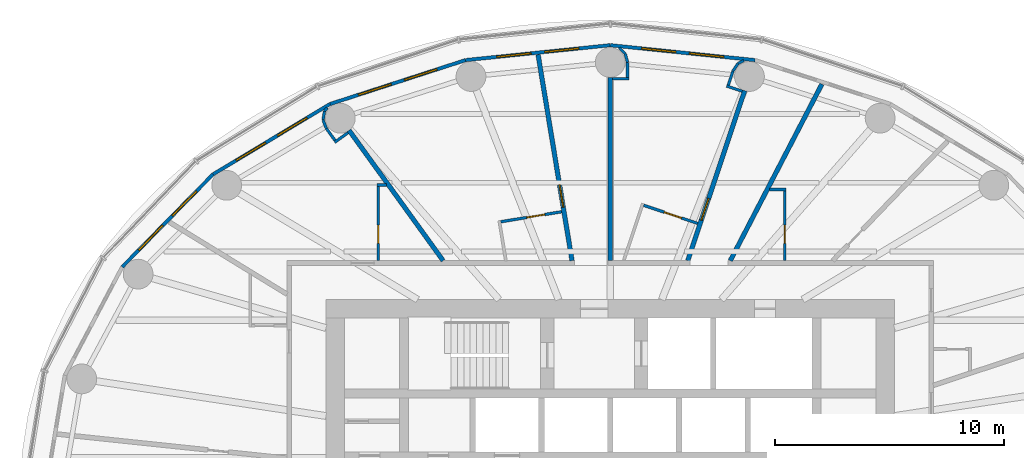
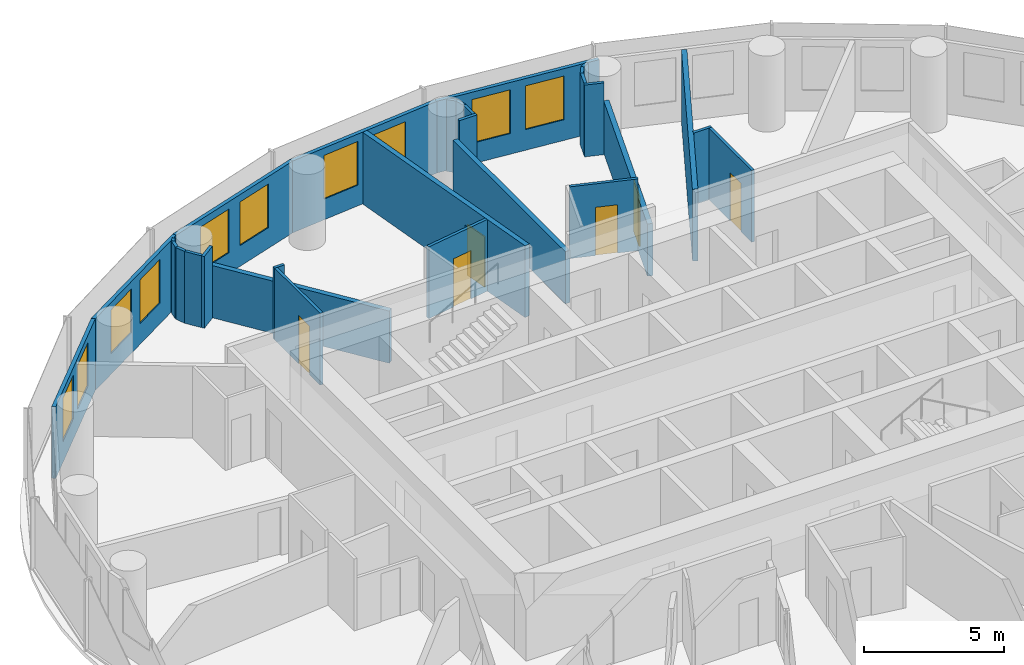
# One storey, part 11 of 13: 29 walls, 10 windows, 6 doors, 16 openings.
"""IFC4 building model written with IfcOpenShell, lengths in metres."""

from ifc_helpers import new_model, si_unit, direction, frame, frame_2d, origin, place, context, subcontext, project, spatial, rectangle, extrude, material, layer, layer_set, type_object, element, fill, save


model = new_model("IFC4")

# Units and contexts
model_context = context("Model", 3, precision=1e-05, world=origin(), true_north=direction((0.0, 1.0)))
body_context = subcontext(model_context, "Body", "Model", "MODEL_VIEW")
ifc_project = project(units=[si_unit("LENGTHUNIT", "METRE"), si_unit("AREAUNIT", "SQUARE_METRE"), si_unit("VOLUMEUNIT", "CUBIC_METRE"), si_unit("PLANEANGLEUNIT", "RADIAN"), si_unit("MASSUNIT", "GRAM", prefix="KILO")], contexts=[model_context])

# Site, building, storey
site_placement = place(None, origin())
site = spatial("IfcSite", under=ifc_project, at=site_placement, CompositionType="ELEMENT")
building_placement = place(site_placement, origin())
building = spatial("IfcBuilding", under=site, at=building_placement, Name="Hankou Lantern Tower", CompositionType="ELEMENT")
storey_placement = place(building_placement, frame((0.0, 0.0, 132.0)))
storey = spatial("IfcBuildingStorey", under=building, at=storey_placement, Name="L34", CompositionType="ELEMENT", Elevation=132.0)

# Wall, openings, windows
ifc_material_1 = material(Name="Aluminium spandrel panel on steel studs", Category="steel")
ifc_layer_1 = layer(ifc_material_1, 0.14990234375)
ifc_layer_set_1 = layer_set([ifc_layer_1], Name="Aluminium spandrel panel on steel studs")
wall_type_1 = type_object("IfcWallType", Name="EW1 INNER SKIN WALL 150", PredefinedType="ELEMENTEDWALL", material=ifc_layer_set_1)
wall_1_placement = place(storey_placement, frame((6.3134765625, 18.849609375, 0.0), z_axis=(0.0, 0.0, 1.0), x_axis=(-0.994735690163, 0.102473931887, 0.0)))
wall_1 = element("IfcWall", 1, at=wall_1_placement, inside=storey, type_object=wall_type_1, Name="Inner skin R06-R07 L34", PredefinedType="ELEMENTEDWALL", context=body_context, shape_type="SweptSolid", body=[
    extrude(rectangle(XDim=6.346923828125, YDim=0.14990234375, at=frame_2d((3.17333984375, 0.0))), origin(), (0.0, 0.0, 1.0), 3.1201171875),
])
opening_1_placement = place(wall_1_placement, frame((1.373291015625, 0.0, 0.89990234375)))
opening_1 = element("IfcOpeningElement", 2, at=opening_1_placement, cuts=wall_1, Name="Opening W2", PredefinedType="OPENING", context=body_context, shape_type="SweptSolid", body=[
    extrude(rectangle(XDim=1.5, YDim=1.89990234375, at=frame_2d((0.75, 0.949951171875))), frame((0.0, 0.0849609375, 0.0), z_axis=(0.0, -1.0, 0.0), x_axis=(1.0, 0.0, 0.0)), (0.0, 0.0, 1.0), 0.169921875),
])
opening_2_placement = place(wall_1_placement, frame((3.473388671875, 0.0, 0.89990234375)))
opening_2 = element("IfcOpeningElement", 3, at=opening_2_placement, cuts=wall_1, Name="Opening W2", PredefinedType="OPENING", context=body_context, shape_type="SweptSolid", body=[
    extrude(rectangle(XDim=1.5, YDim=1.89990234375, at=frame_2d((0.75, 0.949951171875))), frame((0.0, 0.0849609375, 0.0), z_axis=(0.0, -1.0, 0.0), x_axis=(1.0, 0.0, 0.0)), (0.0, 0.0, 1.0), 0.169921875),
])
ifc_material_2 = material(Name="Aluminium framed double glazed window", Category="aluminium")
window_type = type_object("IfcWindowType", Name="W2 GUEST ROOM WINDOW 1500X1900", PartitioningType="DOUBLE_PANEL_VERTICAL", PredefinedType="WINDOW", material=ifc_material_2)
window_1_placement = place(opening_1_placement, origin())
window_1 = element("IfcWindow", 4, at=window_1_placement, inside=storey, type_object=window_type, Name="Window R06.1 L34", OverallHeight=1.89990234375, OverallWidth=1.5, PartitioningType="SINGLE_PANEL", PredefinedType="WINDOW", context=body_context, shape_type="SweptSolid", body=[
    extrude(rectangle(XDim=1.5, YDim=1.89990234375, at=frame_2d((0.75, 0.949951171875))), frame((0.0, 0.030029296875, 0.0), z_axis=(0.0, -1.0, 0.0), x_axis=(1.0, 0.0, 0.0)), (0.0, 0.0, 1.0), 0.06005859375),
])
fill(opening_1, window_1)
window_2_placement = place(opening_2_placement, origin())
window_2 = element("IfcWindow", 5, at=window_2_placement, inside=storey, type_object=window_type, Name="Window R06.2 L34", OverallHeight=1.89990234375, OverallWidth=1.5, PartitioningType="SINGLE_PANEL", PredefinedType="WINDOW", context=body_context, shape_type="SweptSolid", body=[
    extrude(rectangle(XDim=1.5, YDim=1.89990234375, at=frame_2d((0.75, 0.949951171875))), frame((0.0, 0.030029296875, 0.0), z_axis=(0.0, -1.0, 0.0), x_axis=(1.0, 0.0, 0.0)), (0.0, 0.0, 1.0), 0.06005859375),
])
fill(opening_2, window_2)

wall_2_placement = place(storey_placement, frame((0.0, 19.5, 0.0), z_axis=(0.0, 0.0, 1.0), x_axis=(-0.994735690163, -0.102473931887, 0.0)))
wall_2 = element("IfcWall", 6, at=wall_2_placement, inside=storey, type_object=wall_type_1, Name="Inner skin R07-R08 L34", PredefinedType="ELEMENTEDWALL", context=body_context, shape_type="SweptSolid", body=[
    extrude(rectangle(XDim=6.346923828125, YDim=0.14990234375, at=frame_2d((3.17333984375, 0.0))), origin(), (0.0, 0.0, 1.0), 3.1201171875),
])
opening_3_placement = place(wall_2_placement, frame((1.373291015625, 0.0, 0.89990234375)))
opening_3 = element("IfcOpeningElement", 7, at=opening_3_placement, cuts=wall_2, Name="Opening W2", PredefinedType="OPENING", context=body_context, shape_type="SweptSolid", body=[
    extrude(rectangle(XDim=1.5, YDim=1.89990234375, at=frame_2d((0.75, 0.949951171875))), frame((0.0, 0.0849609375, 0.0), z_axis=(0.0, -1.0, 0.0), x_axis=(1.0, 0.0, 0.0)), (0.0, 0.0, 1.0), 0.169921875),
])
opening_4_placement = place(wall_2_placement, frame((3.473388671875, 0.0, 0.89990234375)))
opening_4 = element("IfcOpeningElement", 8, at=opening_4_placement, cuts=wall_2, Name="Opening W2", PredefinedType="OPENING", context=body_context, shape_type="SweptSolid", body=[
    extrude(rectangle(XDim=1.5, YDim=1.89990234375, at=frame_2d((0.75, 0.949951171875))), frame((0.0, 0.0849609375, 0.0), z_axis=(0.0, -1.0, 0.0), x_axis=(1.0, 0.0, 0.0)), (0.0, 0.0, 1.0), 0.169921875),
])
window_3_placement = place(opening_3_placement, origin())
window_3 = element("IfcWindow", 9, at=window_3_placement, inside=storey, type_object=window_type, Name="Window R07.1 L34", OverallHeight=1.89990234375, OverallWidth=1.5, PartitioningType="SINGLE_PANEL", PredefinedType="WINDOW", context=body_context, shape_type="SweptSolid", body=[
    extrude(rectangle(XDim=1.5, YDim=1.89990234375, at=frame_2d((0.75, 0.949951171875))), frame((0.0, 0.030029296875, 0.0), z_axis=(0.0, -1.0, 0.0), x_axis=(1.0, 0.0, 0.0)), (0.0, 0.0, 1.0), 0.06005859375),
])
fill(opening_3, window_3)
window_4_placement = place(opening_4_placement, origin())
window_4 = element("IfcWindow", 10, at=window_4_placement, inside=storey, type_object=window_type, Name="Window R07.2 L34", OverallHeight=1.89990234375, OverallWidth=1.5, PartitioningType="SINGLE_PANEL", PredefinedType="WINDOW", context=body_context, shape_type="SweptSolid", body=[
    extrude(rectangle(XDim=1.5, YDim=1.89990234375, at=frame_2d((0.75, 0.949951171875))), frame((0.0, 0.030029296875, 0.0), z_axis=(0.0, -1.0, 0.0), x_axis=(1.0, 0.0, 0.0)), (0.0, 0.0, 1.0), 0.06005859375),
])
fill(opening_4, window_4)

wall_3_placement = place(storey_placement, frame((-6.3134765625, 18.849609375, 0.0), z_axis=(0.0, 0.0, 1.0), x_axis=(-0.951272691506, -0.308350881944, 0.0)))
wall_3 = element("IfcWall", 11, at=wall_3_placement, inside=storey, type_object=wall_type_1, Name="Inner skin R08-R09 L34", PredefinedType="ELEMENTEDWALL", context=body_context, shape_type="SweptSolid", body=[
    extrude(rectangle(XDim=6.210693359375, YDim=0.14990234375, at=frame_2d((3.10546875, 0.0))), origin(), (0.0, 0.0, 1.0), 3.1201171875),
])
opening_5_placement = place(wall_3_placement, frame((1.305419921875, 0.0, 0.89990234375)))
opening_5 = element("IfcOpeningElement", 12, at=opening_5_placement, cuts=wall_3, Name="Opening W2", PredefinedType="OPENING", context=body_context, shape_type="SweptSolid", body=[
    extrude(rectangle(XDim=1.5, YDim=1.89990234375, at=frame_2d((0.75, 0.949951171875))), frame((0.0, 0.0849609375, 0.0), z_axis=(0.0, -1.0, 0.0), x_axis=(1.0, 0.0, 0.0)), (0.0, 0.0, 1.0), 0.169921875),
])
opening_6_placement = place(wall_3_placement, frame((3.4052734375, 0.0, 0.89990234375)))
opening_6 = element("IfcOpeningElement", 13, at=opening_6_placement, cuts=wall_3, Name="Opening W2", PredefinedType="OPENING", context=body_context, shape_type="SweptSolid", body=[
    extrude(rectangle(XDim=1.5, YDim=1.89990234375, at=frame_2d((0.75, 0.949951171875))), frame((0.0, 0.0849609375, 0.0), z_axis=(0.0, -1.0, 0.0), x_axis=(1.0, 0.0, 0.0)), (0.0, 0.0, 1.0), 0.169921875),
])
window_5_placement = place(opening_5_placement, origin())
window_5 = element("IfcWindow", 14, at=window_5_placement, inside=storey, type_object=window_type, Name="Window R08.1 L34", OverallHeight=1.89990234375, OverallWidth=1.5, PartitioningType="SINGLE_PANEL", PredefinedType="WINDOW", context=body_context, shape_type="SweptSolid", body=[
    extrude(rectangle(XDim=1.5, YDim=1.89990234375, at=frame_2d((0.75, 0.949951171875))), frame((0.0, 0.030029296875, 0.0), z_axis=(0.0, -1.0, 0.0), x_axis=(1.0, 0.0, 0.0)), (0.0, 0.0, 1.0), 0.06005859375),
])
fill(opening_5, window_5)
window_6_placement = place(opening_6_placement, origin())
window_6 = element("IfcWindow", 15, at=window_6_placement, inside=storey, type_object=window_type, Name="Window R08.2 L34", OverallHeight=1.89990234375, OverallWidth=1.5, PartitioningType="SINGLE_PANEL", PredefinedType="WINDOW", context=body_context, shape_type="SweptSolid", body=[
    extrude(rectangle(XDim=1.5, YDim=1.89990234375, at=frame_2d((0.75, 0.949951171875))), frame((0.0, 0.030029296875, 0.0), z_axis=(0.0, -1.0, 0.0), x_axis=(1.0, 0.0, 0.0)), (0.0, 0.0, 1.0), 0.06005859375),
])
fill(opening_6, window_6)

wall_4_placement = place(storey_placement, frame((-12.221435546875, 16.9345703125, 0.0), z_axis=(0.0, 0.0, 1.0), x_axis=(-0.857308573723, -0.514802884044, 0.0)))
wall_4 = element("IfcWall", 16, at=wall_4_placement, inside=storey, type_object=wall_type_1, Name="Inner skin R09-R10 L34", PredefinedType="ELEMENTEDWALL", context=body_context, shape_type="SweptSolid", body=[
    extrude(rectangle(XDim=5.961181640625, YDim=0.14990234375, at=frame_2d((2.98046875, 0.0))), origin(), (0.0, 0.0, 1.0), 3.1201171875),
])
opening_7_placement = place(wall_4_placement, frame((1.1806640625, 0.0, 0.89990234375)))
opening_7 = element("IfcOpeningElement", 17, at=opening_7_placement, cuts=wall_4, Name="Opening W2", PredefinedType="OPENING", context=body_context, shape_type="SweptSolid", body=[
    extrude(rectangle(XDim=1.5, YDim=1.89990234375, at=frame_2d((0.75, 0.949951171875))), frame((0.0, 0.0849609375, 0.0), z_axis=(0.0, -1.0, 0.0), x_axis=(1.0, 0.0, 0.0)), (0.0, 0.0, 1.0), 0.169921875),
])
opening_8_placement = place(wall_4_placement, frame((3.280517578125, 0.0, 0.89990234375)))
opening_8 = element("IfcOpeningElement", 18, at=opening_8_placement, cuts=wall_4, Name="Opening W2", PredefinedType="OPENING", context=body_context, shape_type="SweptSolid", body=[
    extrude(rectangle(XDim=1.5, YDim=1.89990234375, at=frame_2d((0.75, 0.949951171875))), frame((0.0, 0.0849609375, 0.0), z_axis=(0.0, -1.0, 0.0), x_axis=(1.0, 0.0, 0.0)), (0.0, 0.0, 1.0), 0.169921875),
])
window_7_placement = place(opening_7_placement, origin())
window_7 = element("IfcWindow", 19, at=window_7_placement, inside=storey, type_object=window_type, Name="Window R09.1 L34", OverallHeight=1.89990234375, OverallWidth=1.5, PartitioningType="SINGLE_PANEL", PredefinedType="WINDOW", context=body_context, shape_type="SweptSolid", body=[
    extrude(rectangle(XDim=1.5, YDim=1.89990234375, at=frame_2d((0.75, 0.949951171875))), frame((0.0, 0.030029296875, 0.0), z_axis=(0.0, -1.0, 0.0), x_axis=(1.0, 0.0, 0.0)), (0.0, 0.0, 1.0), 0.06005859375),
])
fill(opening_7, window_7)
window_8_placement = place(opening_8_placement, origin())
window_8 = element("IfcWindow", 20, at=window_8_placement, inside=storey, type_object=window_type, Name="Window R09.2 L34", OverallHeight=1.89990234375, OverallWidth=1.5, PartitioningType="SINGLE_PANEL", PredefinedType="WINDOW", context=body_context, shape_type="SweptSolid", body=[
    extrude(rectangle(XDim=1.5, YDim=1.89990234375, at=frame_2d((0.75, 0.949951171875))), frame((0.0, 0.030029296875, 0.0), z_axis=(0.0, -1.0, 0.0), x_axis=(1.0, 0.0, 0.0)), (0.0, 0.0, 1.0), 0.06005859375),
])
fill(opening_8, window_8)

wall_5_placement = place(storey_placement, frame((-17.33203125, 13.86572265625, 0.0), z_axis=(0.0, 0.0, 1.0), x_axis=(-0.700136650834, -0.714008872605, 0.0)))
wall_5 = element("IfcWall", 21, at=wall_5_placement, inside=storey, type_object=wall_type_1, Name="Inner skin R10-R11 L34", PredefinedType="ELEMENTEDWALL", context=body_context, shape_type="SweptSolid", body=[
    extrude(rectangle(XDim=5.6494140625, YDim=0.14990234375, at=frame_2d((2.82470703125, 0.0))), origin(), (0.0, 0.0, 1.0), 3.1201171875),
])
opening_9_placement = place(wall_5_placement, frame((1.024658203125, 0.0, 0.89990234375)))
opening_9 = element("IfcOpeningElement", 22, at=opening_9_placement, cuts=wall_5, Name="Opening W2", PredefinedType="OPENING", context=body_context, shape_type="SweptSolid", body=[
    extrude(rectangle(XDim=1.5, YDim=1.89990234375, at=frame_2d((0.75, 0.949951171875))), frame((0.0, 0.0849609375, 0.0), z_axis=(0.0, -1.0, 0.0), x_axis=(1.0, 0.0, 0.0)), (0.0, 0.0, 1.0), 0.169921875),
])
opening_10_placement = place(wall_5_placement, frame((3.12451171875, 0.0, 0.89990234375)))
opening_10 = element("IfcOpeningElement", 23, at=opening_10_placement, cuts=wall_5, Name="Opening W2", PredefinedType="OPENING", context=body_context, shape_type="SweptSolid", body=[
    extrude(rectangle(XDim=1.5, YDim=1.89990234375, at=frame_2d((0.75, 0.949951171875))), frame((0.0, 0.0849609375, 0.0), z_axis=(0.0, -1.0, 0.0), x_axis=(1.0, 0.0, 0.0)), (0.0, 0.0, 1.0), 0.169921875),
])
window_9_placement = place(opening_9_placement, origin())
window_9 = element("IfcWindow", 24, at=window_9_placement, inside=storey, type_object=window_type, Name="Window R10.1 L34", OverallHeight=1.89990234375, OverallWidth=1.5, PartitioningType="SINGLE_PANEL", PredefinedType="WINDOW", context=body_context, shape_type="SweptSolid", body=[
    extrude(rectangle(XDim=1.5, YDim=1.89990234375, at=frame_2d((0.75, 0.949951171875))), frame((0.0, 0.030029296875, 0.0), z_axis=(0.0, -1.0, 0.0), x_axis=(1.0, 0.0, 0.0)), (0.0, 0.0, 1.0), 0.06005859375),
])
fill(opening_9, window_9)
window_10_placement = place(opening_10_placement, origin())
window_10 = element("IfcWindow", 25, at=window_10_placement, inside=storey, type_object=window_type, Name="Window R10.2 L34", OverallHeight=1.89990234375, OverallWidth=1.5, PartitioningType="SINGLE_PANEL", PredefinedType="WINDOW", context=body_context, shape_type="SweptSolid", body=[
    extrude(rectangle(XDim=1.5, YDim=1.89990234375, at=frame_2d((0.75, 0.949951171875))), frame((0.0, 0.030029296875, 0.0), z_axis=(0.0, -1.0, 0.0), x_axis=(1.0, 0.0, 0.0)), (0.0, 0.0, 1.0), 0.06005859375),
])
fill(opening_10, window_10)

# Walls
ifc_material_3 = material(Name="Masonry lightweight concrete block", Category="masonry")
ifc_layer_2 = layer(ifc_material_3, 0.199951171875)
ifc_layer_set_2 = layer_set([ifc_layer_2], Name="Masonry lightweight concrete block")
wall_type_2 = type_object("IfcWallType", Name="IW1 GUEST ROOM PARTY WALL 200", PredefinedType="PARTITIONING", material=ifc_layer_set_2)
wall_6_placement = place(storey_placement, frame((-7.2890625, 10.10009765625, 0.0), z_axis=(0.0, 0.0, 1.0), x_axis=(-0.585217367024, 0.81087645997, 0.0)))
element("IfcWall", 26, at=wall_6_placement, inside=storey, type_object=wall_type_2, Name="Party wall R09", PredefinedType="PARTITIONING", context=body_context, shape_type="SweptSolid", body=[
    extrude(rectangle(XDim=7.01611328125, YDim=0.199951171875, at=frame_2d((3.508056640625, 0.0))), origin(), (0.0, 0.0, 1.0), 2.27001953125),
])
ifc_material_4 = material(Name="Masonry lightweight concrete block", Category="masonry")
ifc_layer_3 = layer(ifc_material_4, 0.199951171875)
ifc_layer_set_3 = layer_set([ifc_layer_3], Name="Masonry lightweight concrete block")
wall_type_3 = type_object("IfcWallType", Name="IW2 CORRIDOR WALL 200", PredefinedType="PARTITIONING", material=ifc_layer_set_3)
wall_7_placement = place(storey_placement, frame((5.2392578125, 10.10009765625, 0.0), z_axis=(0.0, 0.0, 1.0), x_axis=(0.4604797896, 0.887670188398, 0.0)))
element("IfcWall", 27, at=wall_7_placement, inside=storey, type_object=wall_type_3, Name="Corridor spur wall R05-R06", PredefinedType="PARTITIONING", context=body_context, shape_type="SweptSolid", body=[
    extrude(rectangle(XDim=8.676025390625, YDim=0.199951171875, at=frame_2d((4.337890625, 0.0))), origin(), (0.0, 0.0, 1.0), 3.1201171875),
])

# Wall, opening, door
wall_8_placement = place(storey_placement, frame((3.3828125, 10.10009765625, 0.0), z_axis=(0.0, 0.0, 1.0), x_axis=(0.317603705574, 0.948223542318, 0.0)))
wall_8 = element("IfcWall", 28, at=wall_8_placement, inside=storey, type_object=wall_type_3, Name="Corridor spur wall R06", PredefinedType="PARTITIONING", context=body_context, shape_type="SweptSolid", body=[
    extrude(rectangle(XDim=7.822998046875, YDim=0.199951171875, at=frame_2d((3.91162109375, 0.0))), origin(), (0.0, 0.0, 1.0), 2.27001953125),
])
opening_11_placement = place(wall_8_placement, frame((1.860107421875, 0.0, 0.0)))
opening_11 = element("IfcOpeningElement", 29, at=opening_11_placement, cuts=wall_8, Name="Opening D1", PredefinedType="OPENING", context=body_context, shape_type="SweptSolid", body=[
    extrude(rectangle(XDim=1.0, YDim=2.199951171875, at=frame_2d((0.5, 1.10009765625))), frame((0.0, 0.10986328125, 0.0), z_axis=(0.0, -1.0, 0.0), x_axis=(1.0, 0.0, 0.0)), (0.0, 0.0, 1.0), 0.219970703125),
])
ifc_material_5 = material(Name="Steel door leaf", Category="steel")
door_type_1 = type_object("IfcDoorType", Name="D1 GUEST ROOM DOOR 1000X2200", OperationType="SINGLE_SWING_LEFT", PredefinedType="DOOR", material=ifc_material_5)
door_1_placement = place(opening_11_placement, origin())
door_1 = element("IfcDoor", 30, at=door_1_placement, inside=storey, type_object=door_type_1, Name="Guest room door 3402", OperationType="SINGLE_SWING_LEFT", OverallHeight=2.199951171875, OverallWidth=1.0, PredefinedType="DOOR", context=body_context, shape_type="SweptSolid", body=[
    extrude(rectangle(XDim=1.0, YDim=2.199951171875, at=frame_2d((0.5, 1.10009765625))), frame((0.0, 0.02490234375, 0.0), z_axis=(0.0, -1.0, 0.0), x_axis=(1.0, 0.0, 0.0)), (0.0, 0.0, 1.0), 0.050048828125),
])
fill(opening_11, door_1)

# Wall
wall_9_placement = place(storey_placement, frame((0.0, 10.10009765625, 0.0), z_axis=(0.0, 0.0, 1.0), x_axis=(0.0, 1.0, 0.0)))
element("IfcWall", 31, at=wall_9_placement, inside=storey, type_object=wall_type_3, Name="Corridor spur wall R07", PredefinedType="PARTITIONING", context=body_context, shape_type="SweptSolid", body=[
    extrude(rectangle(XDim=8.0, YDim=0.199951171875, at=frame_2d((4.0, 0.0))), origin(), (0.0, 0.0, 1.0), 2.27001953125),
])

# Wall, opening, door
wall_10_placement = place(storey_placement, frame((-1.665283203125, 10.10009765625, 0.0), z_axis=(0.0, 0.0, 1.0), x_axis=(-0.162660519103, 0.986682094459, 0.0)))
wall_10 = element("IfcWall", 32, at=wall_10_placement, inside=storey, type_object=wall_type_3, Name="Corridor spur wall R07-R08", PredefinedType="PARTITIONING", context=body_context, shape_type="SweptSolid", body=[
    extrude(rectangle(XDim=9.110595703125, YDim=0.199951171875, at=frame_2d((4.55517578125, 0.0))), origin(), (0.0, 0.0, 1.0), 3.1201171875),
])
opening_12_placement = place(wall_10_placement, frame((2.360107421875, 0.0, 0.0)))
opening_12 = element("IfcOpeningElement", 33, at=opening_12_placement, cuts=wall_10, Name="Opening D1", PredefinedType="OPENING", context=body_context, shape_type="SweptSolid", body=[
    extrude(rectangle(XDim=1.0, YDim=2.199951171875, at=frame_2d((0.5, 1.10009765625))), frame((0.0, 0.10986328125, 0.0), z_axis=(0.0, -1.0, 0.0), x_axis=(1.0, 0.0, 0.0)), (0.0, 0.0, 1.0), 0.219970703125),
])
door_2_placement = place(opening_12_placement, origin())
door_2 = element("IfcDoor", 34, at=door_2_placement, inside=storey, type_object=door_type_1, Name="Guest room door 3404", OperationType="SINGLE_SWING_LEFT", OverallHeight=2.199951171875, OverallWidth=1.0, PredefinedType="DOOR", context=body_context, shape_type="SweptSolid", body=[
    extrude(rectangle(XDim=1.0, YDim=2.199951171875, at=frame_2d((0.5, 1.10009765625))), frame((0.0, 0.02490234375, 0.0), z_axis=(0.0, -1.0, 0.0), x_axis=(1.0, 0.0, 0.0)), (0.0, 0.0, 1.0), 0.050048828125),
])
fill(opening_12, door_2)

ifc_material_6 = material(Name="Masonry lightweight concrete block", Category="masonry")
ifc_layer_4 = layer(ifc_material_6, 0.1201171875)
ifc_layer_set_4 = layer_set([ifc_layer_4], Name="Masonry lightweight concrete block")
wall_type_4 = type_object("IfcWallType", Name="IW3 BATHROOM WALL 120", PredefinedType="PARTITIONING", material=ifc_layer_set_4)
wall_11_placement = place(storey_placement, frame((3.821533203125, 11.724853515625, 0.0), z_axis=(0.0, 0.0, 1.0), x_axis=(-0.948231307998, 0.317580519761, 0.0)))
wall_11 = element("IfcWall", 35, at=wall_11_placement, inside=storey, type_object=wall_type_4, Name="Box wall 3402 1", PredefinedType="PARTITIONING", context=body_context, shape_type="SweptSolid", body=[
    extrude(rectangle(XDim=2.489990234375, YDim=0.1201171875, at=frame_2d((1.2451171875, 0.0))), origin(), (0.0, 0.0, 1.0), 3.1201171875),
])
opening_13_placement = place(wall_11_placement, frame((0.75, 0.0, 0.0)))
opening_13 = element("IfcOpeningElement", 36, at=opening_13_placement, cuts=wall_11, Name="Opening D3", PredefinedType="OPENING", context=body_context, shape_type="SweptSolid", body=[
    extrude(rectangle(XDim=0.800048828125, YDim=2.10009765625, at=frame_2d((0.39990234375, 1.050048828125))), frame((0.0, 0.070068359375, 0.0), z_axis=(0.0, -1.0, 0.0), x_axis=(1.0, 0.0, 0.0)), (0.0, 0.0, 1.0), 0.14013671875),
])
ifc_material_7 = material(Name="Timber door leaf", Category="wood")
door_type_2 = type_object("IfcDoorType", Name="D3 BATHROOM DOOR 800X2100", OperationType="SINGLE_SWING_LEFT", PredefinedType="DOOR", material=ifc_material_7)
door_3_placement = place(opening_13_placement, origin())
door_3 = element("IfcDoor", 37, at=door_3_placement, inside=storey, type_object=door_type_2, Name="En-suite bathroom 3402 door", OperationType="SINGLE_SWING_LEFT", OverallHeight=2.10009765625, OverallWidth=0.800048828125, PredefinedType="DOOR", context=body_context, shape_type="SweptSolid", body=[
    extrude(rectangle(XDim=0.800048828125, YDim=2.10009765625, at=frame_2d((0.39990234375, 1.050048828125))), frame((0.0, 0.02490234375, 0.0), z_axis=(0.0, -1.0, 0.0), x_axis=(1.0, 0.0, 0.0)), (0.0, 0.0, 1.0), 0.050048828125),
])
fill(opening_13, door_3)

wall_12_placement = place(storey_placement, frame((-2.118408203125, 12.234619140625, 0.0), z_axis=(0.0, 0.0, 1.0), x_axis=(-0.986686682911, -0.16263268357, 0.0)))
wall_12 = element("IfcWall", 38, at=wall_12_placement, inside=storey, type_object=wall_type_4, Name="Box wall 3404 1", PredefinedType="PARTITIONING", context=body_context, shape_type="SweptSolid", body=[
    extrude(rectangle(XDim=2.690185546875, YDim=0.1201171875, at=frame_2d((1.34521484375, 0.0))), origin(), (0.0, 0.0, 1.0), 3.1201171875),
])
opening_14_placement = place(wall_12_placement, frame((0.75, 0.0, 0.0)))
opening_14 = element("IfcOpeningElement", 39, at=opening_14_placement, cuts=wall_12, Name="Opening D3", PredefinedType="OPENING", context=body_context, shape_type="SweptSolid", body=[
    extrude(rectangle(XDim=0.800048828125, YDim=2.10009765625, at=frame_2d((0.39990234375, 1.050048828125))), frame((0.0, 0.070068359375, 0.0), z_axis=(0.0, -1.0, 0.0), x_axis=(1.0, 0.0, 0.0)), (0.0, 0.0, 1.0), 0.14013671875),
])
door_4_placement = place(opening_14_placement, origin())
door_4 = element("IfcDoor", 40, at=door_4_placement, inside=storey, type_object=door_type_2, Name="En-suite bathroom 3404 door", OperationType="SINGLE_SWING_LEFT", OverallHeight=2.10009765625, OverallWidth=0.800048828125, PredefinedType="DOOR", context=body_context, shape_type="SweptSolid", body=[
    extrude(rectangle(XDim=0.800048828125, YDim=2.10009765625, at=frame_2d((0.39990234375, 1.050048828125))), frame((0.0, 0.02490234375, 0.0), z_axis=(0.0, -1.0, 0.0), x_axis=(1.0, 0.0, 0.0)), (0.0, 0.0, 1.0), 0.050048828125),
])
fill(opening_14, door_4)

# Wall
wall_13_placement = place(storey_placement, frame((-9.7705078125, 13.39990234375, 0.0), z_axis=(0.0, 0.0, 1.0), x_axis=(-1.0, 0.0, 0.0)))
element("IfcWall", 41, at=wall_13_placement, inside=storey, type_object=wall_type_4, Name="Box wall 3405 1", PredefinedType="PARTITIONING", context=body_context, shape_type="SweptSolid", body=[
    extrude(rectangle(XDim=0.408447265625, YDim=0.1201171875, at=frame_2d((0.2041015625, 0.0))), origin(), (0.0, 0.0, 1.0), 3.1201171875),
])

# Wall, opening, door
wall_14_placement = place(storey_placement, frame((-10.119140625, 10.10009765625, 0.0), z_axis=(0.0, 0.0, 1.0), x_axis=(0.0, 1.0, 0.0)))
wall_14 = element("IfcWall", 42, at=wall_14_placement, inside=storey, type_object=wall_type_4, Name="Box wall 3405 1", PredefinedType="PARTITIONING", context=body_context, shape_type="SweptSolid", body=[
    extrude(rectangle(XDim=3.239990234375, YDim=0.1201171875, at=frame_2d((1.6201171875, 0.0))), origin(), (0.0, 0.0, 1.0), 3.1201171875),
])
opening_15_placement = place(wall_14_placement, frame((0.75, 0.0, 0.0)))
opening_15 = element("IfcOpeningElement", 43, at=opening_15_placement, cuts=wall_14, Name="Opening D3", PredefinedType="OPENING", context=body_context, shape_type="SweptSolid", body=[
    extrude(rectangle(XDim=0.800048828125, YDim=2.10009765625, at=frame_2d((0.39990234375, 1.050048828125))), frame((0.0, 0.070068359375, 0.0), z_axis=(0.0, -1.0, 0.0), x_axis=(1.0, 0.0, 0.0)), (0.0, 0.0, 1.0), 0.14013671875),
])
door_5_placement = place(opening_15_placement, origin())
door_5 = element("IfcDoor", 44, at=door_5_placement, inside=storey, type_object=door_type_2, Name="En-suite bathroom 3405 door", OperationType="SINGLE_SWING_LEFT", OverallHeight=2.10009765625, OverallWidth=0.800048828125, PredefinedType="DOOR", context=body_context, shape_type="SweptSolid", body=[
    extrude(rectangle(XDim=0.800048828125, YDim=2.10009765625, at=frame_2d((0.39990234375, 1.050048828125))), frame((0.0, 0.02490234375, 0.0), z_axis=(0.0, -1.0, 0.0), x_axis=(1.0, 0.0, 0.0)), (0.0, 0.0, 1.0), 0.050048828125),
])
fill(opening_15, door_5)

# Wall
wall_15_placement = place(storey_placement, frame((6.947265625, 13.199951171875, 0.0), z_axis=(0.0, 0.0, 1.0), x_axis=(1.0, 0.0, 0.0)))
element("IfcWall", 45, at=wall_15_placement, inside=storey, type_object=wall_type_4, Name="Box wall 3418A 1", PredefinedType="PARTITIONING", context=body_context, shape_type="SweptSolid", body=[
    extrude(rectangle(XDim=0.73193359375, YDim=0.1201171875, at=frame_2d((0.365966796875, 0.0))), origin(), (0.0, 0.0, 1.0), 3.1201171875),
])

# Wall, opening, door
wall_16_placement = place(storey_placement, frame((7.619384765625, 10.10009765625, 0.0), z_axis=(0.0, 0.0, 1.0), x_axis=(0.0, 1.0, 0.0)))
wall_16 = element("IfcWall", 46, at=wall_16_placement, inside=storey, type_object=wall_type_4, Name="Box wall 3418A 1", PredefinedType="PARTITIONING", context=body_context, shape_type="SweptSolid", body=[
    extrude(rectangle(XDim=3.039794921875, YDim=0.1201171875, at=frame_2d((1.52001953125, 0.0))), origin(), (0.0, 0.0, 1.0), 3.1201171875),
])
opening_16_placement = place(wall_16_placement, frame((0.75, 0.0, 0.0)))
opening_16 = element("IfcOpeningElement", 47, at=opening_16_placement, cuts=wall_16, Name="Opening D3", PredefinedType="OPENING", context=body_context, shape_type="SweptSolid", body=[
    extrude(rectangle(XDim=0.800048828125, YDim=2.10009765625, at=frame_2d((0.39990234375, 1.050048828125))), frame((0.0, 0.070068359375, 0.0), z_axis=(0.0, -1.0, 0.0), x_axis=(1.0, 0.0, 0.0)), (0.0, 0.0, 1.0), 0.14013671875),
])
door_6_placement = place(opening_16_placement, origin())
door_6 = element("IfcDoor", 48, at=door_6_placement, inside=storey, type_object=door_type_2, Name="Corner suite 3418 bathroom door", OperationType="SINGLE_SWING_LEFT", OverallHeight=2.10009765625, OverallWidth=0.800048828125, PredefinedType="DOOR", context=body_context, shape_type="SweptSolid", body=[
    extrude(rectangle(XDim=0.800048828125, YDim=2.10009765625, at=frame_2d((0.39990234375, 1.050048828125))), frame((0.0, 0.02490234375, 0.0), z_axis=(0.0, -1.0, 0.0), x_axis=(1.0, 0.0, 0.0)), (0.0, 0.0, 1.0), 0.050048828125),
])
fill(opening_16, door_6)

# Walls
ifc_material_8 = material(Name="Masonry lightweight concrete block", Category="masonry")
ifc_layer_5 = layer(ifc_material_8, 0.1201171875)
ifc_layer_set_5 = layer_set([ifc_layer_5], Name="Masonry lightweight concrete block")
wall_type_5 = type_object("IfcWallType", Name="IW4 PARTITION 120", PredefinedType="PARTITIONING", material=ifc_layer_set_5)
wall_17_placement = place(storey_placement, frame((5.753662109375, 17.492919921875, 0.0), z_axis=(0.0, 0.0, 1.0), x_axis=(-0.9482389443, 0.317557718397, 0.0)))
element("IfcWall", 49, at=wall_17_placement, inside=storey, type_object=wall_type_5, Name="Column casing R06 return", PredefinedType="PARTITIONING", context=body_context, shape_type="SweptSolid", body=[
    extrude(rectangle(XDim=0.7158203125, YDim=0.1201171875, at=frame_2d((0.35791015625, 0.0))), origin(), (0.0, 0.0, 1.0), 3.1201171875),
])
wall_18_placement = place(storey_placement, frame((5.15087890625, 17.758056640625, 0.0), z_axis=(0.0, 0.0, 1.0), x_axis=(0.317354244456, 0.948307061835, 0.0)))
element("IfcWall", 50, at=wall_18_placement, inside=storey, type_object=wall_type_5, Name="Column casing R06", PredefinedType="PARTITIONING", context=body_context, shape_type="SweptSolid", body=[
    extrude(rectangle(XDim=0.650146484375, YDim=0.1201171875, at=frame_2d((0.3251953125, 0.0))), origin(), (0.0, 0.0, 1.0), 3.1201171875),
])
wall_19_placement = place(storey_placement, frame((5.357177734375, 18.37451171875, 0.0), z_axis=(0.0, 0.0, 1.0), x_axis=(0.552249752128, 0.833678721856, 0.0)))
element("IfcWall", 51, at=wall_19_placement, inside=storey, type_object=wall_type_5, Name="Column casing R06", PredefinedType="PARTITIONING", context=body_context, shape_type="SweptSolid", body=[
    extrude(rectangle(XDim=0.391357421875, YDim=0.1201171875, at=frame_2d((0.19580078125, 0.0))), origin(), (0.0, 0.0, 1.0), 3.1201171875),
])
wall_20_placement = place(storey_placement, frame((5.5732421875, 18.70068359375, 0.0), z_axis=(0.0, 0.0, 1.0), x_axis=(0.895295561985, 0.445472621707, 0.0)))
element("IfcWall", 52, at=wall_20_placement, inside=storey, type_object=wall_type_5, Name="Column casing R06", PredefinedType="PARTITIONING", context=body_context, shape_type="SweptSolid", body=[
    extrude(rectangle(XDim=0.280517578125, YDim=0.1201171875, at=frame_2d((0.14013671875, 0.0))), origin(), (0.0, 0.0, 1.0), 3.1201171875),
])
wall_21_placement = place(storey_placement, frame((0.10009765625, 18.0400390625, 0.0), z_axis=(0.0, 0.0, 1.0), x_axis=(1.0, 0.0, 0.0)))
element("IfcWall", 53, at=wall_21_placement, inside=storey, type_object=wall_type_5, Name="Column casing R07 return", PredefinedType="PARTITIONING", context=body_context, shape_type="SweptSolid", body=[
    extrude(rectangle(XDim=0.715576171875, YDim=0.1201171875, at=frame_2d((0.35791015625, 0.0))), origin(), (0.0, 0.0, 1.0), 3.1201171875),
])
wall_22_placement = place(storey_placement, frame((0.755859375, 18.10009765625, 0.0), z_axis=(0.0, 0.0, 1.0), x_axis=(0.0, 1.0, 0.0)))
element("IfcWall", 54, at=wall_22_placement, inside=storey, type_object=wall_type_5, Name="Column casing R07", PredefinedType="PARTITIONING", context=body_context, shape_type="SweptSolid", body=[
    extrude(rectangle(XDim=0.64990234375, YDim=0.1201171875, at=frame_2d((0.324951171875, 0.0))), origin(), (0.0, 0.0, 1.0), 3.1201171875),
])
wall_23_placement = place(storey_placement, frame((0.755859375, 18.75, 0.0), z_axis=(0.0, 0.0, 1.0), x_axis=(-0.2589440045, 0.965892334856, 0.0)))
element("IfcWall", 55, at=wall_23_placement, inside=storey, type_object=wall_type_5, Name="Column casing R07", PredefinedType="PARTITIONING", context=body_context, shape_type="SweptSolid", body=[
    extrude(rectangle(XDim=0.391357421875, YDim=0.1201171875, at=frame_2d((0.19580078125, 0.0))), origin(), (0.0, 0.0, 1.0), 3.1201171875),
])
wall_24_placement = place(storey_placement, frame((0.654541015625, 19.1279296875, 0.0), z_axis=(0.0, 0.0, 1.0), x_axis=(-0.707443899976, 0.706769501596, 0.0)))
element("IfcWall", 56, at=wall_24_placement, inside=storey, type_object=wall_type_5, Name="Column casing R07", PredefinedType="PARTITIONING", context=body_context, shape_type="SweptSolid", body=[
    extrude(rectangle(XDim=0.362060546875, YDim=0.1201171875, at=frame_2d((0.18115234375, 0.0))), origin(), (0.0, 0.0, 1.0), 3.1201171875),
])
wall_25_placement = place(storey_placement, frame((-11.44091796875, 15.68212890625, 0.0), z_axis=(0.0, 0.0, 1.0), x_axis=(-0.810796141244, -0.585328640461, 0.0)))
element("IfcWall", 57, at=wall_25_placement, inside=storey, type_object=wall_type_5, Name="Column casing R09 return", PredefinedType="PARTITIONING", context=body_context, shape_type="SweptSolid", body=[
    extrude(rectangle(XDim=0.7158203125, YDim=0.1201171875, at=frame_2d((0.35791015625, 0.0))), origin(), (0.0, 0.0, 1.0), 3.1201171875),
])
wall_26_placement = place(storey_placement, frame((-12.0078125, 15.346923828125, 0.0), z_axis=(0.0, 0.0, 1.0), x_axis=(-0.585175102182, 0.810906961239, 0.0)))
element("IfcWall", 58, at=wall_26_placement, inside=storey, type_object=wall_type_5, Name="Column casing R09", PredefinedType="PARTITIONING", context=body_context, shape_type="SweptSolid", body=[
    extrude(rectangle(XDim=0.64990234375, YDim=0.1201171875, at=frame_2d((0.324951171875, 0.0))), origin(), (0.0, 0.0, 1.0), 3.1201171875),
])
for number, where, z_axis, x_axis, name in (
    (59, (-12.38818359375, 15.8740234375, 0.0), (0.0, 0.0, 1.0), (-0.355086882425, 0.934833303819, 0.0), "Column casing R09"),
    (60, (-12.527099609375, 16.23974609375, 0.0), (0.0, 0.0, 1.0), (0.159134335894, 0.987256938765, 0.0), "Column casing R09"),
):
    element("IfcWall", number, at=place(storey_placement, frame(where, z_axis=z_axis, x_axis=x_axis)), inside=storey, type_object=wall_type_5, Name=name, PredefinedType="PARTITIONING", context=body_context, shape_type="SweptSolid", body=[
        extrude(rectangle(XDim=0.39111328125, YDim=0.1201171875, at=frame_2d((0.195556640625, 0.0))), origin(), (0.0, 0.0, 1.0), 3.1201171875),
    ])
wall_27_placement = place(storey_placement, frame((-12.46484375, 16.6259765625, 0.0), z_axis=(0.0, 0.0, 1.0), x_axis=(0.631672951162, 0.775234985517, 0.0)))
element("IfcWall", 61, at=wall_27_placement, inside=storey, type_object=wall_type_5, Name="Column casing R09", PredefinedType="PARTITIONING", context=body_context, shape_type="SweptSolid", body=[
    extrude(rectangle(XDim=0.18701171875, YDim=0.1201171875, at=frame_2d((0.093505859375, 0.0))), origin(), (0.0, 0.0, 1.0), 3.1201171875),
])

save(model, "model.ifc")
